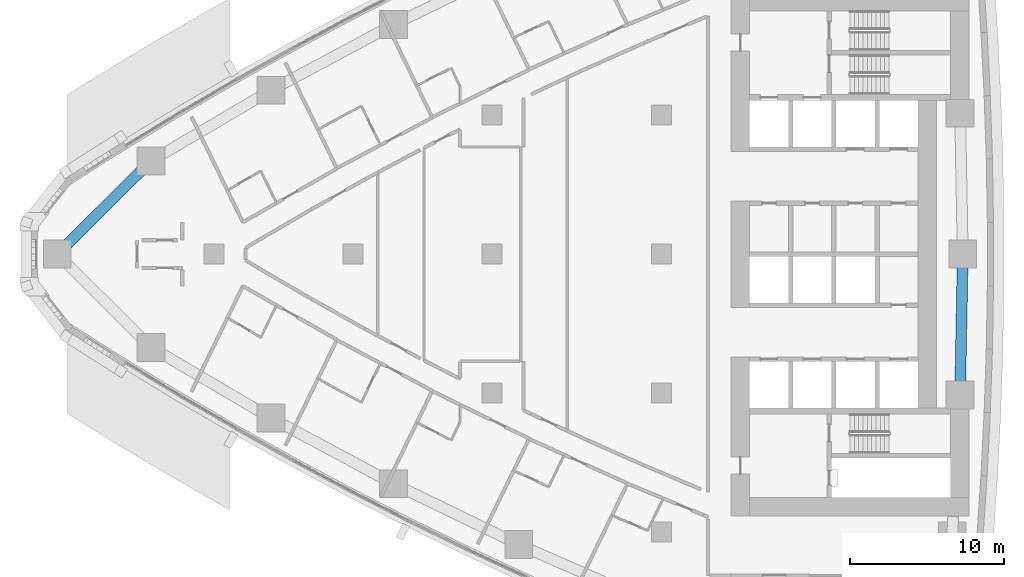
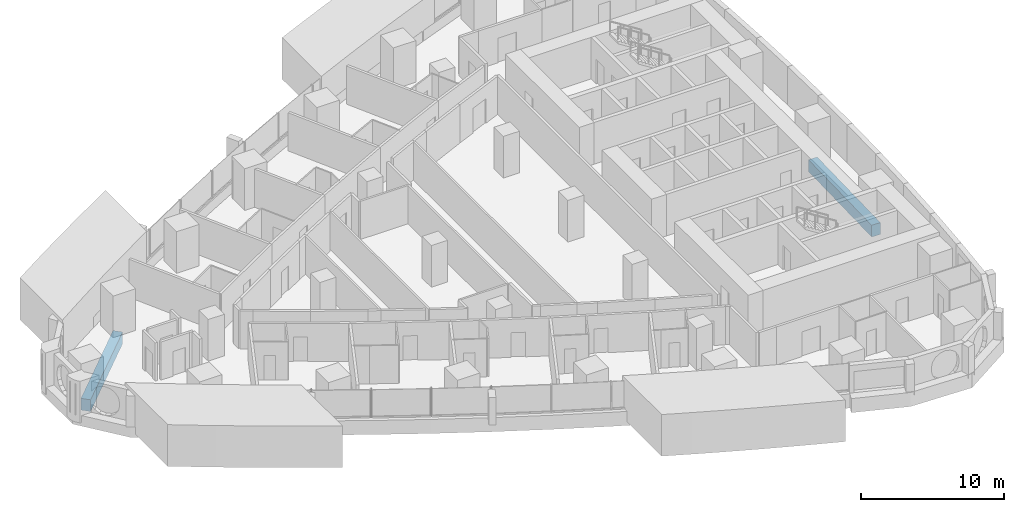
# One storey, part 4 of 19: 2 beams.
"""IFC4 building model written with IfcOpenShell, lengths in metres."""

from ifc_helpers import new_model, si_unit, direction, frame, origin, origin_2d, place, context, subcontext, project, spatial, rectangle, extrude, material, material_profile, profile_set, type_object, element, save


model = new_model("IFC4")

# Units and contexts
model_context = context("Model", 3, precision=1e-05, world=origin(), true_north=direction((0.0, 1.0)))
body_context = subcontext(model_context, "Body", "Model", "MODEL_VIEW")
ifc_project = project(units=[si_unit("LENGTHUNIT", "METRE"), si_unit("AREAUNIT", "SQUARE_METRE"), si_unit("VOLUMEUNIT", "CUBIC_METRE"), si_unit("PLANEANGLEUNIT", "RADIAN"), si_unit("MASSUNIT", "GRAM", prefix="KILO")], contexts=[model_context])

# Site, building, storey
site_placement = place(None, origin())
site = spatial("IfcSite", under=ifc_project, at=site_placement, CompositionType="ELEMENT")
building_placement = place(site_placement, origin())
building = spatial("IfcBuilding", under=site, at=building_placement, Name="Ostrand Prow Hotel Tower", CompositionType="ELEMENT")
storey_placement = place(building_placement, frame((0.0, 0.0, 68.0)))
storey = spatial("IfcBuildingStorey", under=building, at=storey_placement, Name="L15", CompositionType="ELEMENT", Elevation=68.0)

# Beams
ifc_material = material(Name="Concrete C80/95", Category="concrete")
ifc_material_profile = material_profile(ifc_material, rectangle(XDim=0.699951171875, YDim=1.0, at=origin_2d()), Name="RC 700x1000")
ifc_profile_set = profile_set([ifc_material_profile], Name="Concrete C80/95")
beam_type = type_object("IfcBeamType", Name="Edge beam 700x1000 C80/95", PredefinedType="SPANDREL", material=ifc_profile_set)
beam_1_placement = place(storey_placement, frame((64.328369140625, -9.130859375, -0.800048828125), z_axis=(0.018793471688, 0.999823387115, 0.0), x_axis=(-0.999823387115, 0.018793471688, 0.0)))
element("IfcBeam", 1, at=beam_1_placement, inside=storey, type_object=beam_type, Name="Edge beam B2-B3", PredefinedType="SPANDREL", context=body_context, shape_type="SweptSolid", body=[
    extrude(rectangle(XDim=0.699951171875, YDim=1.0, at=origin_2d()), origin(), (0.0, 0.0, 1.0), 9.132568359375),
])
beam_2_placement = place(storey_placement, frame((11.926513671875, 6.0419921875, -0.800048828125), z_axis=(-0.709211674915, -0.70499560294, 0.0), x_axis=(0.70499560294, -0.709211674915, 0.0)))
element("IfcBeam", 2, at=beam_2_placement, inside=storey, type_object=beam_type, Name="Edge beam N6-P", PredefinedType="SPANDREL", context=body_context, shape_type="SweptSolid", body=[
    extrude(rectangle(XDim=0.699951171875, YDim=1.0, at=origin_2d()), origin(), (0.0, 0.0, 1.0), 8.5703125),
])

save(model, "model.ifc")
